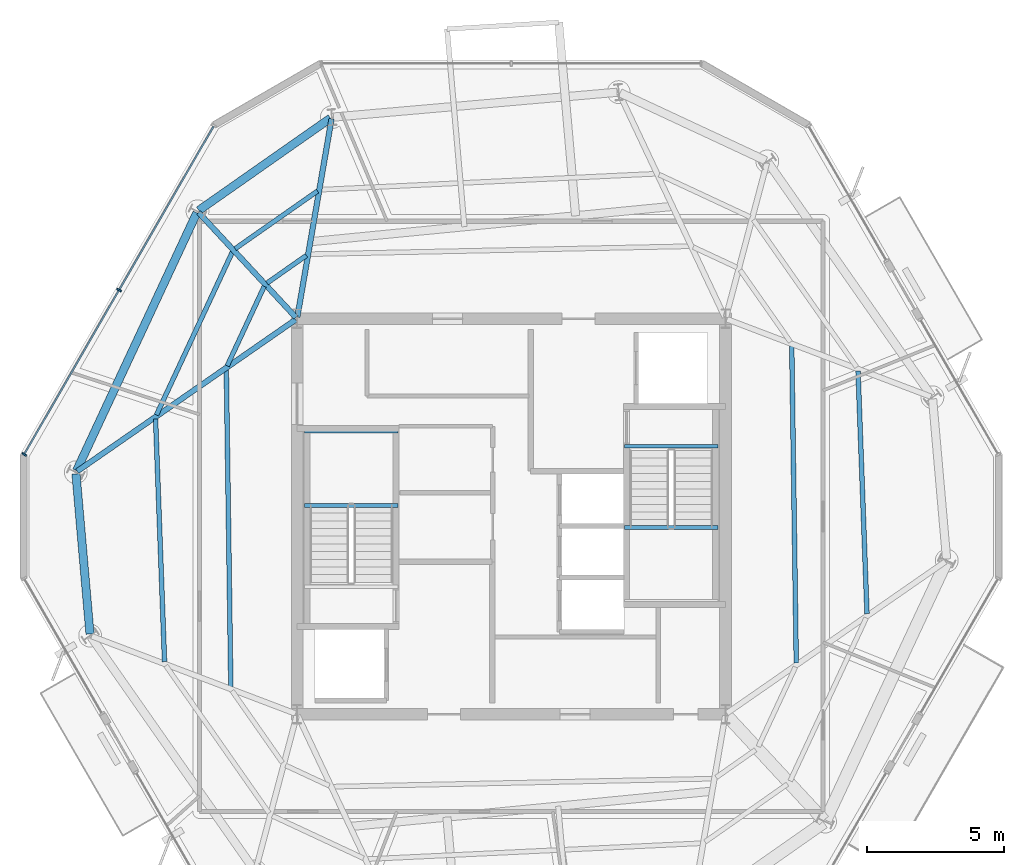
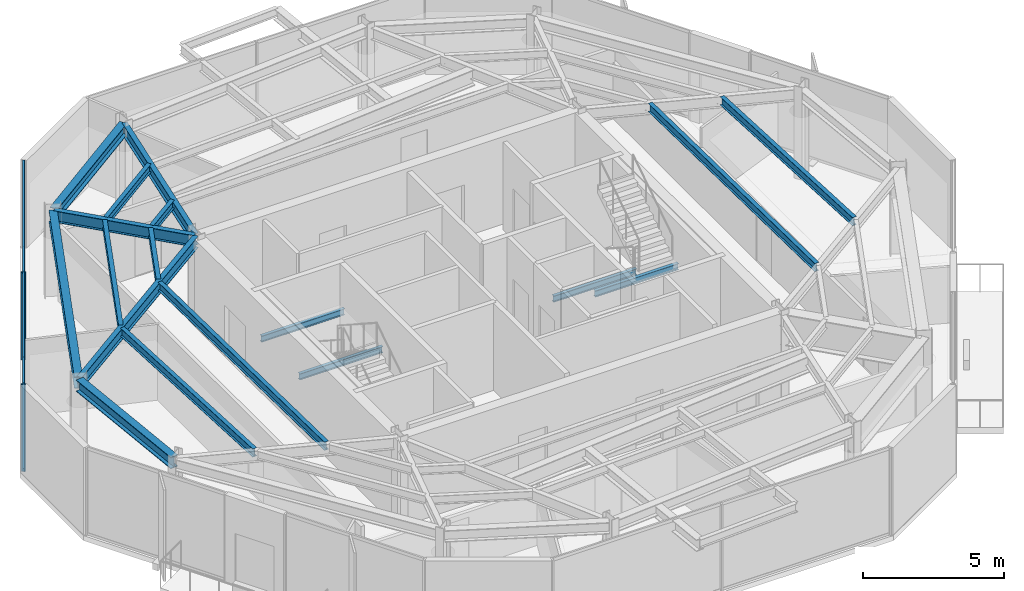
# One storey, part 3 of 11: 18 beams, 6 members, 1 element without a shape of its own.
"""IFC4 building model written with IfcOpenShell, lengths in metres."""

from ifc_helpers import new_model, si_unit, direction, frame, origin, origin_2d, place, context, subcontext, project, spatial, rectangle, i_section, extrude, material, layer, layer_set, material_profile, profile_set, type_object, element, aggregate, save


model = new_model("IFC4")

# Units and contexts
model_context = context("Model", 3, precision=1e-05, world=origin(), true_north=direction((0.0, 1.0)))
body_context = subcontext(model_context, "Body", "Model", "MODEL_VIEW")
ifc_project = project(units=[si_unit("LENGTHUNIT", "METRE"), si_unit("AREAUNIT", "SQUARE_METRE"), si_unit("VOLUMEUNIT", "CUBIC_METRE"), si_unit("PLANEANGLEUNIT", "RADIAN"), si_unit("MASSUNIT", "GRAM", prefix="KILO")], contexts=[model_context])

# Site, building, storey
site_placement = place(None, origin())
site = spatial("IfcSite", under=ifc_project, at=site_placement, CompositionType="ELEMENT")
building_placement = place(site_placement, origin())
building = spatial("IfcBuilding", under=site, at=building_placement, Name="Kranzbogen Civic Tower", CompositionType="ELEMENT")
storey_placement = place(building_placement, frame((0.0, 0.0, 266.199951171875)))
storey = spatial("IfcBuildingStorey", under=building, at=storey_placement, Name="L64", CompositionType="ELEMENT", Elevation=266.199951171875)

# Curtain wall, members
ifc_material_1 = material(Name="Pale Anodised Aluminium", Category="aluminium")
ifc_layer = layer(ifc_material_1, 0.219970703125, Name="Pale Anodised Aluminium")
ifc_layer_set = layer_set([ifc_layer], Name="Pale Anodised Aluminium")
curtain_wall_type = type_object("IfcCurtainWallType", Name="Zone 4 Stick Curtain Wall System CW-05", PredefinedType="USERDEFINED", material=ifc_layer_set)
curtain_wall_placement = place(storey_placement, origin())
curtain_wall = element("IfcCurtainWall", 1, at=curtain_wall_placement, inside=storey, type_object=curtain_wall_type, Name="L64 curtain wall CW-L64-F2", ObjectType="STICK CURTAIN WALL", PredefinedType="USERDEFINED")
ifc_material_profile_1 = material_profile(ifc_material_1, rectangle(XDim=0.06494140625, YDim=0.179931640625, at=origin_2d()), Name="ALU-M 65x180")
ifc_profile_set_1 = profile_set([ifc_material_profile_1], Name="Pale Anodised Aluminium")
member_type_1 = type_object("IfcMemberType", Name="Curtain Wall Mullion ALU-M 65x180", PredefinedType="MULLION", material=ifc_profile_set_1)
member_1_placement = place(storey_placement, frame((10.721435546875, 33.243896484375, 0.0), z_axis=(0.0, 0.0, 1.0), x_axis=(-0.500005136036, -0.866022438472, 0.0)))
member_1 = element("IfcMember", 2, at=member_1_placement, type_object=member_type_1, Name="CW-05 mullion 2", PredefinedType="MULLION", context=body_context, shape_type="SweptSolid", body=[
    extrude(rectangle(XDim=0.06494140625, YDim=0.179931640625, at=origin_2d()), origin(), (0.0, 0.0, 1.0), 3.780029296875),
])
member_2_placement = place(storey_placement, frame((7.26611328125, 27.259033203125, 0.0), z_axis=(0.0, 0.0, 1.0), x_axis=(-0.500005136036, -0.866022438472, 0.0)))
member_2 = element("IfcMember", 3, at=member_2_placement, type_object=member_type_1, Name="CW-05 mullion 3", PredefinedType="MULLION", context=body_context, shape_type="SweptSolid", body=[
    extrude(rectangle(XDim=0.06494140625, YDim=0.179931640625, at=origin_2d()), origin(), (0.0, 0.0, 1.0), 3.780029296875),
])
ifc_material_profile_2 = material_profile(ifc_material_1, rectangle(XDim=0.06494140625, YDim=0.135009765625, at=origin_2d()), Name="ALU-T 65x135")
ifc_profile_set_2 = profile_set([ifc_material_profile_2], Name="Pale Anodised Aluminium")
member_type_2 = type_object("IfcMemberType", Name="Curtain Wall Transom ALU-T 65x135", PredefinedType="USERDEFINED", material=ifc_profile_set_2)
member_3_placement = place(storey_placement, frame((14.162109375, 39.203125, 0.030029296875), z_axis=(-0.50000624761, -0.866021796695, 0.0), x_axis=(0.866021796695, -0.50000624761, 0.0)))
member_3 = element("IfcMember", 4, at=member_3_placement, type_object=member_type_2, Name="CW-05 transom 1.1", ObjectType="TRANSOM", PredefinedType="USERDEFINED", context=body_context, shape_type="SweptSolid", body=[
    extrude(rectangle(XDim=0.06494140625, YDim=0.135009765625, at=origin_2d()), origin(), (0.0, 0.0, 1.0), 6.85107421875),
])
member_4_placement = place(storey_placement, frame((14.162109375, 39.203125, 3.75), z_axis=(-0.50000624761, -0.866021796695, 0.0), x_axis=(0.866021796695, -0.50000624761, 0.0)))
member_4 = element("IfcMember", 5, at=member_4_placement, type_object=member_type_2, Name="CW-05 transom 1.2", ObjectType="TRANSOM", PredefinedType="USERDEFINED", context=body_context, shape_type="SweptSolid", body=[
    extrude(rectangle(XDim=0.06494140625, YDim=0.135009765625, at=origin_2d()), origin(), (0.0, 0.0, 1.0), 6.85107421875),
])
member_5_placement = place(storey_placement, frame((10.70654296875, 33.218017578125, 0.030029296875), z_axis=(-0.50000624761, -0.866021796695, 0.0), x_axis=(0.866021796695, -0.50000624761, 0.0)))
member_5 = element("IfcMember", 6, at=member_5_placement, type_object=member_type_2, Name="CW-05 transom 2.1", ObjectType="TRANSOM", PredefinedType="USERDEFINED", context=body_context, shape_type="SweptSolid", body=[
    extrude(rectangle(XDim=0.06494140625, YDim=0.135009765625, at=origin_2d()), origin(), (0.0, 0.0, 1.0), 6.85107421875),
])
member_6_placement = place(storey_placement, frame((10.70654296875, 33.218017578125, 3.75), z_axis=(-0.50000624761, -0.866021796695, 0.0), x_axis=(0.866021796695, -0.50000624761, 0.0)))
member_6 = element("IfcMember", 7, at=member_6_placement, type_object=member_type_2, Name="CW-05 transom 2.2", ObjectType="TRANSOM", PredefinedType="USERDEFINED", context=body_context, shape_type="SweptSolid", body=[
    extrude(rectangle(XDim=0.06494140625, YDim=0.135009765625, at=origin_2d()), origin(), (0.0, 0.0, 1.0), 6.85107421875),
])
aggregate(curtain_wall, [member_1, member_2, member_3, member_4, member_5, member_6])

# Beams
ifc_material_2 = material(Name="Steel S355", Category="steel")
ifc_material_profile_3 = material_profile(ifc_material_2, i_section(OverallWidth=0.300048828125, OverallDepth=0.5, WebThickness=0.014404296875, FlangeThickness=0.028076171875, at=origin_2d()), Name="HEB 500")
ifc_profile_set_3 = profile_set([ifc_material_profile_3], Name="Steel S355")
beam_type_1 = type_object("IfcBeamType", Name="Perimeter Tube Spandrel Beam HEB 500", PredefinedType="SPANDREL", material=ifc_profile_set_3)
beam_1_placement = place(storey_placement, frame((18.41796875, 39.501953125, 3.530029296875), z_axis=(-0.819059436004, -0.57370867197, 0.0), x_axis=(0.57370867197, -0.819059436004, 0.0)))
element("IfcBeam", 8, at=beam_1_placement, inside=storey, type_object=beam_type_1, Name="L64 perimeter spandrel beam 10", PredefinedType="SPANDREL", context=body_context, shape_type="SweptSolid", body=[
    extrude(i_section(OverallWidth=0.300048828125, OverallDepth=0.5, WebThickness=0.014404296875, FlangeThickness=0.028076171875, at=origin_2d()), origin(), (0.0, 0.0, 1.0), 5.85302734375),
])
beam_2_placement = place(storey_placement, frame((13.550048828125, 36.055908203125, 3.530029296875), z_axis=(-0.422668780888, -0.906284227857, 0.0), x_axis=(0.906284227857, -0.422668780888, 0.0)))
element("IfcBeam", 9, at=beam_2_placement, inside=storey, type_object=beam_type_1, Name="L64 perimeter spandrel beam 11", PredefinedType="SPANDREL", context=body_context, shape_type="SweptSolid", body=[
    extrude(i_section(OverallWidth=0.300048828125, OverallDepth=0.5, WebThickness=0.014404296875, FlangeThickness=0.028076171875, at=origin_2d()), origin(), (0.0, 0.0, 1.0), 10.363037109375),
])
beam_3_placement = place(storey_placement, frame((9.14990234375, 26.550048828125, 3.530029296875), z_axis=(0.087326362434, -0.99617975608, 0.0), x_axis=(0.99617975608, 0.087326362434, 0.0)))
element("IfcBeam", 10, at=beam_3_placement, inside=storey, type_object=beam_type_1, Name="L64 perimeter spandrel beam 12", PredefinedType="SPANDREL", context=body_context, shape_type="SweptSolid", body=[
    extrude(i_section(OverallWidth=0.300048828125, OverallDepth=0.5, WebThickness=0.014404296875, FlangeThickness=0.028076171875, at=origin_2d()), origin(), (0.0, 0.0, 1.0), 5.8515625),
])
ifc_material_profile_4 = material_profile(ifc_material_2, i_section(OverallWidth=0.199951171875, OverallDepth=0.5, WebThickness=0.01025390625, FlangeThickness=0.01611328125, at=origin_2d()), Name="IPE 500")
ifc_profile_set_4 = profile_set([ifc_material_profile_4], Name="Steel S355")
beam_type_2 = type_object("IfcBeamType", Name="Radial Tower Floor Girder IPE 500", PredefinedType="BEAM", material=ifc_profile_set_4)
beam_4_placement = place(storey_placement, frame((18.45703125, 39.47705078125, 3.530029296875), z_axis=(-0.170249558486, -0.985400978199, 0.0), x_axis=(0.985400978199, -0.170249558486, 0.0)))
element("IfcBeam", 11, at=beam_4_placement, inside=storey, type_object=beam_type_2, Name="L64 radial floor girder 10", PredefinedType="BEAM", context=body_context, shape_type="SweptSolid", body=[
    extrude(i_section(OverallWidth=0.199951171875, OverallDepth=0.5, WebThickness=0.01025390625, FlangeThickness=0.01611328125, at=origin_2d()), origin(), (0.0, 0.0, 1.0), 7.324951171875),
])
beam_5_placement = place(storey_placement, frame((13.615966796875, 36.06591796875, 3.530029296875), z_axis=(0.679827353702, -0.733372190064, 0.0), x_axis=(0.733372190064, 0.679827353702, 0.0)))
element("IfcBeam", 12, at=beam_5_placement, inside=storey, type_object=beam_type_2, Name="L64 radial floor girder 11", PredefinedType="BEAM", context=body_context, shape_type="SweptSolid", body=[
    extrude(i_section(OverallWidth=0.199951171875, OverallDepth=0.5, WebThickness=0.01025390625, FlangeThickness=0.01611328125, at=origin_2d()), origin(), (0.0, 0.0, 1.0), 5.211669921875),
])
beam_6_placement = place(storey_placement, frame((9.194091796875, 26.64404296875, 3.530029296875), z_axis=(0.821542812331, 0.570146829779, 0.0), x_axis=(-0.570146829779, 0.821542812331, 0.0)))
element("IfcBeam", 13, at=beam_6_placement, inside=storey, type_object=beam_type_2, Name="L64 radial floor girder 12", PredefinedType="BEAM", context=body_context, shape_type="SweptSolid", body=[
    extrude(i_section(OverallWidth=0.199951171875, OverallDepth=0.5, WebThickness=0.01025390625, FlangeThickness=0.01611328125, at=origin_2d()), origin(), (0.0, 0.0, 1.0), 9.68505859375),
])
ifc_material_profile_5 = material_profile(ifc_material_2, i_section(OverallWidth=0.169921875, OverallDepth=0.360107421875, WebThickness=0.008056640625, FlangeThickness=0.0126953125, at=origin_2d()), Name="IPE 360")
ifc_profile_set_5 = profile_set([ifc_material_profile_5], Name="Steel S355")
beam_type_3 = type_object("IfcBeamType", Name="Secondary Composite Floor Joist IPE 360", PredefinedType="JOIST", material=ifc_profile_set_5)
beam_7_placement = place(storey_placement, frame((37.951904296875, 21.4580078125, 3.60009765625), z_axis=(-0.036992246074, 0.999315552631, 0.0), x_axis=(-0.999315552631, -0.036992246074, 0.0)))
element("IfcBeam", 14, at=beam_7_placement, inside=storey, type_object=beam_type_3, Name="L64 secondary floor joist 1.06", PredefinedType="JOIST", context=body_context, shape_type="SweptSolid", body=[
    extrude(i_section(OverallWidth=0.169921875, OverallDepth=0.360107421875, WebThickness=0.008056640625, FlangeThickness=0.0126953125, at=origin_2d()), origin(), (0.0, 0.0, 1.0), 8.837158203125),
])
beam_8_placement = place(storey_placement, frame((35.3759765625, 19.6689453125, 3.60009765625), z_axis=(-0.014221385906, 0.999898870978, 0.0), x_axis=(-0.999898870978, -0.014221385906, 0.0)))
element("IfcBeam", 15, at=beam_8_placement, inside=storey, type_object=beam_type_3, Name="L64 secondary floor joist 2.06", PredefinedType="JOIST", context=body_context, shape_type="SweptSolid", body=[
    extrude(i_section(OverallWidth=0.169921875, OverallDepth=0.360107421875, WebThickness=0.008056640625, FlangeThickness=0.0126953125, at=origin_2d()), origin(), (0.0, 0.0, 1.0), 11.536376953125),
])
beam_9_placement = place(storey_placement, frame((17.945068359375, 36.84912109375, 3.60009765625), z_axis=(-0.819006333711, -0.573784476385, 0.0), x_axis=(0.573784476385, -0.819006333711, 0.0)))
element("IfcBeam", 16, at=beam_9_placement, inside=storey, type_object=beam_type_3, Name="L64 secondary floor joist 1.10", PredefinedType="JOIST", context=body_context, shape_type="SweptSolid", body=[
    extrude(i_section(OverallWidth=0.169921875, OverallDepth=0.360107421875, WebThickness=0.008056640625, FlangeThickness=0.0126953125, at=origin_2d()), origin(), (0.0, 0.0, 1.0), 3.661865234375),
])
beam_10_placement = place(storey_placement, frame((17.5400390625, 34.501953125, 3.60009765625), z_axis=(-0.818956727849, -0.573855276103, 0.0), x_axis=(0.573855276103, -0.818956727849, 0.0)))
element("IfcBeam", 17, at=beam_10_placement, inside=storey, type_object=beam_type_3, Name="L64 secondary floor joist 2.10", PredefinedType="JOIST", context=body_context, shape_type="SweptSolid", body=[
    extrude(i_section(OverallWidth=0.169921875, OverallDepth=0.360107421875, WebThickness=0.008056640625, FlangeThickness=0.0126953125, at=origin_2d()), origin(), (0.0, 0.0, 1.0), 1.751220703125),
])
beam_11_placement = place(storey_placement, frame((14.845947265625, 34.6298828125, 3.60009765625), z_axis=(-0.422542528713, -0.906343098075, 0.0), x_axis=(0.906343098075, -0.422542528713, 0.0)))
element("IfcBeam", 18, at=beam_11_placement, inside=storey, type_object=beam_type_3, Name="L64 secondary floor joist 1.11", PredefinedType="JOIST", context=body_context, shape_type="SweptSolid", body=[
    extrude(i_section(OverallWidth=0.169921875, OverallDepth=0.360107421875, WebThickness=0.008056640625, FlangeThickness=0.0126953125, at=origin_2d()), origin(), (0.0, 0.0, 1.0), 6.548095703125),
])
beam_12_placement = place(storey_placement, frame((16.006103515625, 33.37890625, 3.60009765625), z_axis=(-0.422651143991, -0.906292453065, 0.0), x_axis=(0.906292453065, -0.422651143991, 0.0)))
element("IfcBeam", 19, at=beam_12_placement, inside=storey, type_object=beam_type_3, Name="L64 secondary floor joist 2.11", PredefinedType="JOIST", context=body_context, shape_type="SweptSolid", body=[
    extrude(i_section(OverallWidth=0.169921875, OverallDepth=0.360107421875, WebThickness=0.008056640625, FlangeThickness=0.0126953125, at=origin_2d()), origin(), (0.0, 0.0, 1.0), 3.1943359375),
])
beam_13_placement = place(storey_placement, frame((12.048095703125, 28.5419921875, 3.60009765625), z_axis=(0.036992246074, -0.999315552631, 0.0), x_axis=(0.999315552631, 0.036992246074, 0.0)))
element("IfcBeam", 20, at=beam_13_placement, inside=storey, type_object=beam_type_3, Name="L64 secondary floor joist 1.12", PredefinedType="JOIST", context=body_context, shape_type="SweptSolid", body=[
    extrude(i_section(OverallWidth=0.169921875, OverallDepth=0.360107421875, WebThickness=0.008056640625, FlangeThickness=0.0126953125, at=origin_2d()), origin(), (0.0, 0.0, 1.0), 8.837158203125),
])
beam_14_placement = place(storey_placement, frame((14.6240234375, 30.3310546875, 3.60009765625), z_axis=(0.014221385906, -0.999898870978, 0.0), x_axis=(0.999898870978, 0.014221385906, 0.0)))
element("IfcBeam", 21, at=beam_14_placement, inside=storey, type_object=beam_type_3, Name="L64 secondary floor joist 2.12", PredefinedType="JOIST", context=body_context, shape_type="SweptSolid", body=[
    extrude(i_section(OverallWidth=0.169921875, OverallDepth=0.360107421875, WebThickness=0.008056640625, FlangeThickness=0.0126953125, at=origin_2d()), origin(), (0.0, 0.0, 1.0), 11.536376953125),
])
ifc_material_profile_6 = material_profile(ifc_material_2, i_section(OverallWidth=0.135009765625, OverallDepth=0.27001953125, WebThickness=0.006591796875, FlangeThickness=0.01025390625, at=origin_2d()), Name="IPE 270")
ifc_profile_set_6 = profile_set([ifc_material_profile_6], Name="Steel S355")
beam_type_4 = type_object("IfcBeamType", Name="Stair Landing Support Beam IPE 270", PredefinedType="JOIST", material=ifc_profile_set_6)
for number, where, z_axis, x_axis, name in (
    (22, (20.8798828125, 25.39990234375, 1.6650390625), (-1.0, 0.0, 0.0), (0.0, -1.0, 0.0), "L64 ST-T1 landing support beam 1.1"),
    (23, (20.8798828125, 28.10009765625, 1.6650390625), (-1.0, 0.0, 0.0), (0.0, -1.0, 0.0), "L64 ST-T1 landing support beam 1.2"),
    (24, (29.1201171875, 27.56005859375, -0.35498046875), (1.0, 0.0, 0.0), (0.0, 1.0, 0.0), "L64 ST-T2 stair floor header beam"),
    (25, (29.1201171875, 24.60009765625, 1.6650390625), (1.0, 0.0, 0.0), (0.0, 1.0, 0.0), "L64 ST-T2 landing support beam 1.1"),
):
    element("IfcBeam", number, at=place(storey_placement, frame(where, z_axis=z_axis, x_axis=x_axis)), inside=storey, type_object=beam_type_4, Name=name, PredefinedType="JOIST", context=body_context, shape_type="SweptSolid", body=[
        extrude(i_section(OverallWidth=0.135009765625, OverallDepth=0.27001953125, WebThickness=0.006591796875, FlangeThickness=0.01025390625, at=origin_2d()), origin(), (0.0, 0.0, 1.0), 3.409912109375),
    ])

save(model, "model.ifc")
